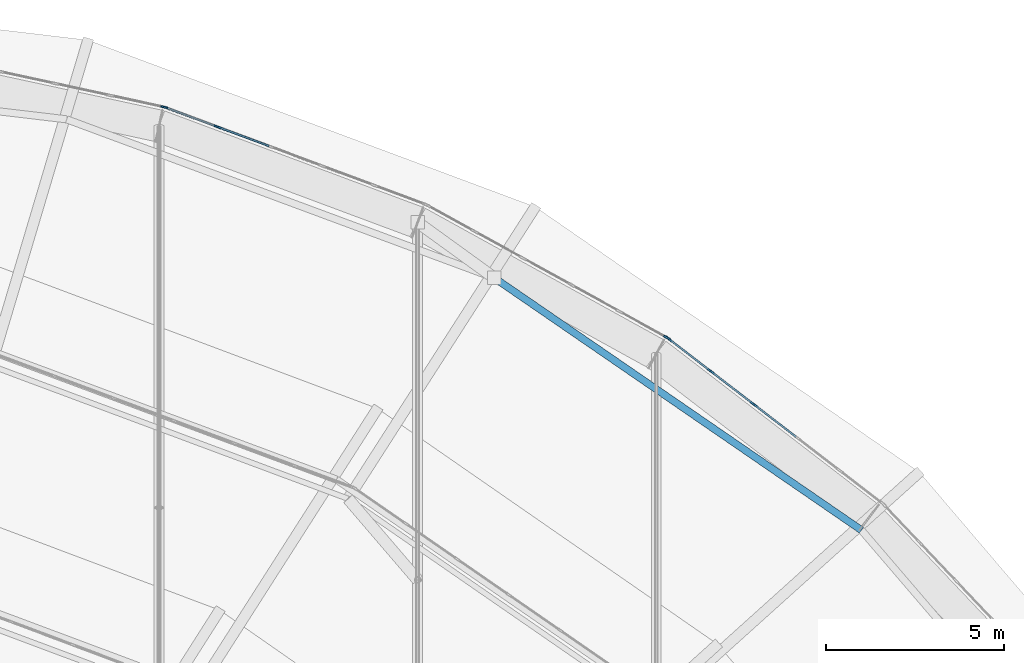
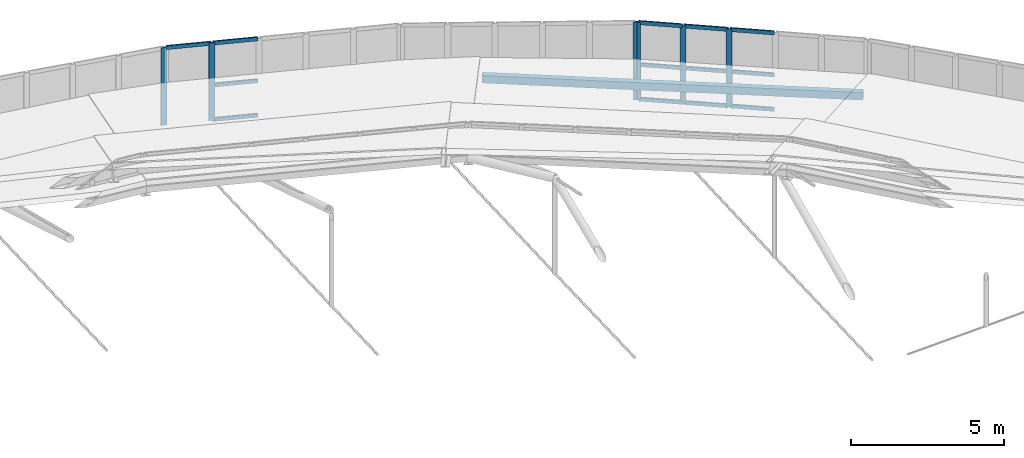
# One storey, part 123 of 173: 20 members, 4 elements without a shape of their own.
"""IFC4 building model written with IfcOpenShell, lengths in metres."""

from ifc_helpers import new_model, si_unit, direction, frame, origin, origin_2d, place, context, subcontext, project, spatial, rectangle, hollow_rectangle, extrude, material, material_profile, profile_set, type_object, element, aggregate, save


model = new_model("IFC4")

# Units and contexts
model_context = context("Model", 3, precision=1e-05, world=origin(), true_north=direction((0.0, 1.0)))
body_context = subcontext(model_context, "Body", "Model", "MODEL_VIEW")
ifc_project = project(units=[si_unit("LENGTHUNIT", "METRE"), si_unit("AREAUNIT", "SQUARE_METRE"), si_unit("VOLUMEUNIT", "CUBIC_METRE"), si_unit("PLANEANGLEUNIT", "RADIAN"), si_unit("MASSUNIT", "GRAM", prefix="KILO")], contexts=[model_context])

# Site, building, storey
site_placement = place(None, origin())
site = spatial("IfcSite", under=ifc_project, at=site_placement, CompositionType="ELEMENT")
building_placement = place(site_placement, origin())
building = spatial("IfcBuilding", under=site, at=building_placement, Name="Glasvene Arena", CompositionType="ELEMENT")
storey_placement = place(building_placement, frame((0.0, 0.0, 28.800048828125)))
storey = spatial("IfcBuildingStorey", under=building, at=storey_placement, Name="RF", CompositionType="ELEMENT", Elevation=28.800048828125)

# Curtain wall, members
ifc_material_1 = material(Name="Low-emissivity laminated double glazing", Category="glass")
curtain_wall_type_1 = type_object("IfcCurtainWallType", Name="CW-DRUM-761x310", PredefinedType="USERDEFINED", material=ifc_material_1)
curtain_wall_1_placement = place(storey_placement, frame((127.744140625, 105.208740234375, 0.0)))
curtain_wall_1 = element("IfcCurtainWall", 1, at=curtain_wall_1_placement, inside=storey, type_object=curtain_wall_type_1, Name="Crown compression-ring fascia curtain wall 06", ObjectType="CURTAIN WALL", PredefinedType="USERDEFINED")
ifc_material_2 = material(Name="Anodised architectural aluminium", Category="aluminium")
ifc_material_profile_1 = material_profile(ifc_material_2, rectangle(XDim=0.050048828125, YDim=0.199951171875, at=origin_2d()), Name="ALU MULLION 50x200")
ifc_profile_set_1 = profile_set([ifc_material_profile_1], Name="Anodised architectural aluminium")
member_type_1 = type_object("IfcMemberType", Name="CW-MUL-180", PredefinedType="MULLION", material=ifc_profile_set_1)
member_1_placement = place(storey_placement, frame((124.125244140625, 107.993896484375, -1.380126953125), z_axis=(0.0, 0.0, 1.0), x_axis=(-0.609894880488, -0.792482324569, 0.0)))
member_1 = element("IfcMember", 2, at=member_1_placement, type_object=member_type_1, Name="CW-076 mullion 4", PredefinedType="MULLION", context=body_context, shape_type="SweptSolid", body=[
    extrude(rectangle(XDim=0.050048828125, YDim=0.199951171875, at=origin_2d()), origin(), (0.0, 0.0, 1.0), 3.10009765625),
])
member_2_placement = place(storey_placement, frame((122.9189453125, 108.92236328125, -1.380126953125), z_axis=(0.0, 0.0, 1.0), x_axis=(-0.609894880488, -0.792482324569, 0.0)))
member_2 = element("IfcMember", 3, at=member_2_placement, type_object=member_type_1, Name="CW-076 mullion 5", PredefinedType="MULLION", context=body_context, shape_type="SweptSolid", body=[
    extrude(rectangle(XDim=0.050048828125, YDim=0.199951171875, at=origin_2d()), origin(), (0.0, 0.0, 1.0), 3.10009765625),
])
member_3_placement = place(storey_placement, frame((121.732421875, 109.83544921875, -1.380126953125), z_axis=(0.0, 0.0, 1.0), x_axis=(-0.609894880488, -0.792482324569, 0.0)))
member_3 = element("IfcMember", 4, at=member_3_placement, type_object=member_type_1, Name="CW-076 mullion 6", PredefinedType="MULLION", context=body_context, shape_type="SweptSolid", body=[
    extrude(rectangle(XDim=0.050048828125, YDim=0.199951171875, at=origin_2d()), origin(), (0.0, 0.0, 1.0), 3.10009765625),
])

# Curtain wall, member
curtain_wall_type_2 = type_object("IfcCurtainWallType", Name="CW-DRUM-773x310", PredefinedType="USERDEFINED", material=ifc_material_1)
curtain_wall_2_placement = place(storey_placement, frame((121.71240234375, 109.8505859375, 0.0)))
curtain_wall_2 = element("IfcCurtainWall", 5, at=curtain_wall_2_placement, inside=storey, type_object=curtain_wall_type_2, Name="Crown compression-ring fascia curtain wall 07", ObjectType="CURTAIN WALL", PredefinedType="USERDEFINED")
member_4_placement = place(storey_placement, frame((121.690673828125, 109.86279296875, -1.380126953125), z_axis=(0.0, 0.0, 1.0), x_axis=(-0.483387319086, -0.875406591103, 0.0)))
member_4 = element("IfcMember", 6, at=member_4_placement, type_object=member_type_1, Name="CW-077 mullion 1", PredefinedType="MULLION", context=body_context, shape_type="SweptSolid", body=[
    extrude(rectangle(XDim=0.050048828125, YDim=0.199951171875, at=origin_2d()), origin(), (0.0, 0.0, 1.0), 3.10009765625),
])
aggregate(curtain_wall_2, [member_4])

curtain_wall_type_3 = type_object("IfcCurtainWallType", Name="CW-DRUM-782x310", PredefinedType="USERDEFINED", material=ifc_material_1)
curtain_wall_3_placement = place(storey_placement, frame((114.94921875, 113.585205078125, 0.0)))
curtain_wall_3 = element("IfcCurtainWall", 7, at=curtain_wall_3_placement, inside=storey, type_object=curtain_wall_type_3, Name="Crown compression-ring fascia curtain wall 08", ObjectType="CURTAIN WALL", PredefinedType="USERDEFINED")
member_5_placement = place(storey_placement, frame((109.08642578125, 115.7734375, -1.380126953125), z_axis=(0.0, 0.0, 1.0), x_axis=(-0.349682803856, -0.936868153311, 0.0)))
member_5 = element("IfcMember", 8, at=member_5_placement, type_object=member_type_1, Name="CW-078 mullion 5", PredefinedType="MULLION", context=body_context, shape_type="SweptSolid", body=[
    extrude(rectangle(XDim=0.050048828125, YDim=0.199951171875, at=origin_2d()), origin(), (0.0, 0.0, 1.0), 3.10009765625),
])

curtain_wall_type_4 = type_object("IfcCurtainWallType", Name="CW-DRUM-789x310", PredefinedType="USERDEFINED", material=ifc_material_1)
curtain_wall_4_placement = place(storey_placement, frame((107.620849609375, 116.320556640625, 0.0)))
curtain_wall_4 = element("IfcCurtainWall", 9, at=curtain_wall_4_placement, inside=storey, type_object=curtain_wall_type_4, Name="Crown compression-ring fascia curtain wall 09", ObjectType="CURTAIN WALL", PredefinedType="USERDEFINED")
member_6_placement = place(storey_placement, frame((107.596435546875, 116.325927734375, -1.380126953125), z_axis=(0.0, 0.0, 1.0), x_axis=(-0.211444690135, -0.977389964658, 0.0)))
member_6 = element("IfcMember", 10, at=member_6_placement, type_object=member_type_1, Name="CW-079 mullion 1", PredefinedType="MULLION", context=body_context, shape_type="SweptSolid", body=[
    extrude(rectangle(XDim=0.050048828125, YDim=0.199951171875, at=origin_2d()), origin(), (0.0, 0.0, 1.0), 3.10009765625),
])
aggregate(curtain_wall_4, [member_6])

# Member
ifc_material_profile_2 = material_profile(ifc_material_2, rectangle(XDim=0.050048828125, YDim=0.14990234375, at=origin_2d()), Name="ALU TRANSOM 50x150")
ifc_profile_set_2 = profile_set([ifc_material_profile_2], Name="Anodised architectural aluminium")
member_type_2 = type_object("IfcMemberType", Name="CW-TRN-150", PredefinedType="USERDEFINED", material=ifc_profile_set_2)
member_7_placement = place(storey_placement, frame((125.311767578125, 107.080810546875, -1.35498046875), z_axis=(-0.792476018124, 0.60990307484, 0.0), x_axis=(-0.60990307484, -0.792476018124, 0.0)))
member_7 = element("IfcMember", 11, at=member_7_placement, type_object=member_type_2, Name="CW-076 transom 3.1", ObjectType="TRANSOM", PredefinedType="USERDEFINED", context=body_context, shape_type="SweptSolid", body=[
    extrude(rectangle(XDim=0.050048828125, YDim=0.14990234375, at=origin_2d()), origin(), (0.0, 0.0, 1.0), 1.47216796875),
])

member_8_placement = place(storey_placement, frame((125.311767578125, 107.080810546875, 0.02001953125), z_axis=(-0.792476018124, 0.60990307484, 0.0), x_axis=(-0.60990307484, -0.792476018124, 0.0)))
member_8 = element("IfcMember", 12, at=member_8_placement, type_object=member_type_2, Name="CW-076 transom 3.2", ObjectType="TRANSOM", PredefinedType="USERDEFINED", context=body_context, shape_type="SweptSolid", body=[
    extrude(rectangle(XDim=0.050048828125, YDim=0.14990234375, at=origin_2d()), origin(), (0.0, 0.0, 1.0), 1.47216796875),
])

member_9_placement = place(storey_placement, frame((125.311767578125, 107.080810546875, 1.695068359375), z_axis=(-0.792476018124, 0.60990307484, 0.0), x_axis=(-0.60990307484, -0.792476018124, 0.0)))
member_9 = element("IfcMember", 13, at=member_9_placement, type_object=member_type_2, Name="CW-076 transom 3.3", ObjectType="TRANSOM", PredefinedType="USERDEFINED", context=body_context, shape_type="SweptSolid", body=[
    extrude(rectangle(XDim=0.050048828125, YDim=0.14990234375, at=origin_2d()), origin(), (0.0, 0.0, 1.0), 1.47216796875),
])

member_10_placement = place(storey_placement, frame((124.10546875, 108.009033203125, -1.35498046875), z_axis=(-0.792476018124, 0.60990307484, 0.0), x_axis=(-0.60990307484, -0.792476018124, 0.0)))
member_10 = element("IfcMember", 14, at=member_10_placement, type_object=member_type_2, Name="CW-076 transom 4.1", ObjectType="TRANSOM", PredefinedType="USERDEFINED", context=body_context, shape_type="SweptSolid", body=[
    extrude(rectangle(XDim=0.050048828125, YDim=0.14990234375, at=origin_2d()), origin(), (0.0, 0.0, 1.0), 1.47216796875),
])

member_11_placement = place(storey_placement, frame((124.10546875, 108.009033203125, 0.02001953125), z_axis=(-0.792476018124, 0.60990307484, 0.0), x_axis=(-0.60990307484, -0.792476018124, 0.0)))
member_11 = element("IfcMember", 15, at=member_11_placement, type_object=member_type_2, Name="CW-076 transom 4.2", ObjectType="TRANSOM", PredefinedType="USERDEFINED", context=body_context, shape_type="SweptSolid", body=[
    extrude(rectangle(XDim=0.050048828125, YDim=0.14990234375, at=origin_2d()), origin(), (0.0, 0.0, 1.0), 1.47216796875),
])

member_12_placement = place(storey_placement, frame((124.10546875, 108.009033203125, 1.695068359375), z_axis=(-0.792476018124, 0.60990307484, 0.0), x_axis=(-0.60990307484, -0.792476018124, 0.0)))
member_12 = element("IfcMember", 16, at=member_12_placement, type_object=member_type_2, Name="CW-076 transom 4.3", ObjectType="TRANSOM", PredefinedType="USERDEFINED", context=body_context, shape_type="SweptSolid", body=[
    extrude(rectangle(XDim=0.050048828125, YDim=0.14990234375, at=origin_2d()), origin(), (0.0, 0.0, 1.0), 1.47216796875),
])

member_13_placement = place(storey_placement, frame((122.89892578125, 108.9375, -1.35498046875), z_axis=(-0.792385615775, 0.610020520895, 0.0), x_axis=(-0.610020520895, -0.792385615775, 0.0)))
member_13 = element("IfcMember", 17, at=member_13_placement, type_object=member_type_2, Name="CW-076 transom 5.1", ObjectType="TRANSOM", PredefinedType="USERDEFINED", context=body_context, shape_type="SweptSolid", body=[
    extrude(rectangle(XDim=0.050048828125, YDim=0.14990234375, at=origin_2d()), origin(), (0.0, 0.0, 1.0), 1.447265625),
])

member_14_placement = place(storey_placement, frame((122.89892578125, 108.9375, 0.02001953125), z_axis=(-0.792385615775, 0.610020520895, 0.0), x_axis=(-0.610020520895, -0.792385615775, 0.0)))
member_14 = element("IfcMember", 18, at=member_14_placement, type_object=member_type_2, Name="CW-076 transom 5.2", ObjectType="TRANSOM", PredefinedType="USERDEFINED", context=body_context, shape_type="SweptSolid", body=[
    extrude(rectangle(XDim=0.050048828125, YDim=0.14990234375, at=origin_2d()), origin(), (0.0, 0.0, 1.0), 1.447265625),
])

member_15_placement = place(storey_placement, frame((122.89892578125, 108.9375, 1.695068359375), z_axis=(-0.792385615775, 0.610020520895, 0.0), x_axis=(-0.610020520895, -0.792385615775, 0.0)))
member_15 = element("IfcMember", 19, at=member_15_placement, type_object=member_type_2, Name="CW-076 transom 5.3", ObjectType="TRANSOM", PredefinedType="USERDEFINED", context=body_context, shape_type="SweptSolid", body=[
    extrude(rectangle(XDim=0.050048828125, YDim=0.14990234375, at=origin_2d()), origin(), (0.0, 0.0, 1.0), 1.447265625),
])

aggregate(curtain_wall_1, [member_1, member_2, member_3, member_7, member_8, member_9, member_10, member_11, member_12, member_13, member_14, member_15])

member_16_placement = place(storey_placement, frame((110.52880859375, 115.235107421875, -1.35498046875), z_axis=(-0.936831655381, 0.349780573327, 0.0), x_axis=(-0.349780573327, -0.936831655381, 0.0)))
member_16 = element("IfcMember", 20, at=member_16_placement, type_object=member_type_2, Name="CW-078 transom 4.1", ObjectType="TRANSOM", PredefinedType="USERDEFINED", context=body_context, shape_type="SweptSolid", body=[
    extrude(rectangle(XDim=0.050048828125, YDim=0.14990234375, at=origin_2d()), origin(), (0.0, 0.0, 1.0), 1.5146484375),
])

member_17_placement = place(storey_placement, frame((110.52880859375, 115.235107421875, 0.02001953125), z_axis=(-0.936831655381, 0.349780573327, 0.0), x_axis=(-0.349780573327, -0.936831655381, 0.0)))
member_17 = element("IfcMember", 21, at=member_17_placement, type_object=member_type_2, Name="CW-078 transom 4.2", ObjectType="TRANSOM", PredefinedType="USERDEFINED", context=body_context, shape_type="SweptSolid", body=[
    extrude(rectangle(XDim=0.050048828125, YDim=0.14990234375, at=origin_2d()), origin(), (0.0, 0.0, 1.0), 1.5146484375),
])

member_18_placement = place(storey_placement, frame((110.52880859375, 115.235107421875, 1.695068359375), z_axis=(-0.936831655381, 0.349780573327, 0.0), x_axis=(-0.349780573327, -0.936831655381, 0.0)))
member_18 = element("IfcMember", 22, at=member_18_placement, type_object=member_type_2, Name="CW-078 transom 4.3", ObjectType="TRANSOM", PredefinedType="USERDEFINED", context=body_context, shape_type="SweptSolid", body=[
    extrude(rectangle(XDim=0.050048828125, YDim=0.14990234375, at=origin_2d()), origin(), (0.0, 0.0, 1.0), 1.5146484375),
])

member_19_placement = place(storey_placement, frame((109.06298828125, 115.7822265625, 1.695068359375), z_axis=(-0.936820028277, 0.349811713096, 0.0), x_axis=(-0.349811713096, -0.936820028277, 0.0)))
member_19 = element("IfcMember", 23, at=member_19_placement, type_object=member_type_2, Name="CW-078 transom 5.3", ObjectType="TRANSOM", PredefinedType="USERDEFINED", context=body_context, shape_type="SweptSolid", body=[
    extrude(rectangle(XDim=0.050048828125, YDim=0.14990234375, at=origin_2d()), origin(), (0.0, 0.0, 1.0), 1.4892578125),
])

aggregate(curtain_wall_3, [member_5, member_16, member_17, member_18, member_19])

ifc_material_3 = material(Name="Steel S355J2", Category="steel")
ifc_material_profile_3 = material_profile(ifc_material_3, hollow_rectangle(XDim=0.199951171875, YDim=0.300048828125, WallThickness=0.012451171875, at=origin_2d()), Name="RHS 300x200x12.5")
ifc_profile_set_3 = profile_set([ifc_material_profile_3], Name="Steel S355J2")
member_type_3 = type_object("IfcMemberType", Name="MB-PURLIN-RHS300", PredefinedType="PURLIN", material=ifc_profile_set_3)
member_20_placement = place(storey_placement, frame((127.143310546875, 104.46630859375, 0.16748046875), z_axis=(-0.824221560776, 0.566267444545, 0.0), x_axis=(-0.566267444545, -0.824221560776, 0.0)))
element("IfcMember", 24, at=member_20_placement, inside=storey, type_object=member_type_3, Name="Petal ring 1 outer purlin 04", PredefinedType="PURLIN", context=body_context, shape_type="SweptSolid", body=[
    extrude(hollow_rectangle(XDim=0.199951171875, YDim=0.300048828125, WallThickness=0.012451171875, at=origin_2d()), origin(), (0.0, 0.0, 1.0), 12.488525390625),
])

save(model, "model.ifc")
